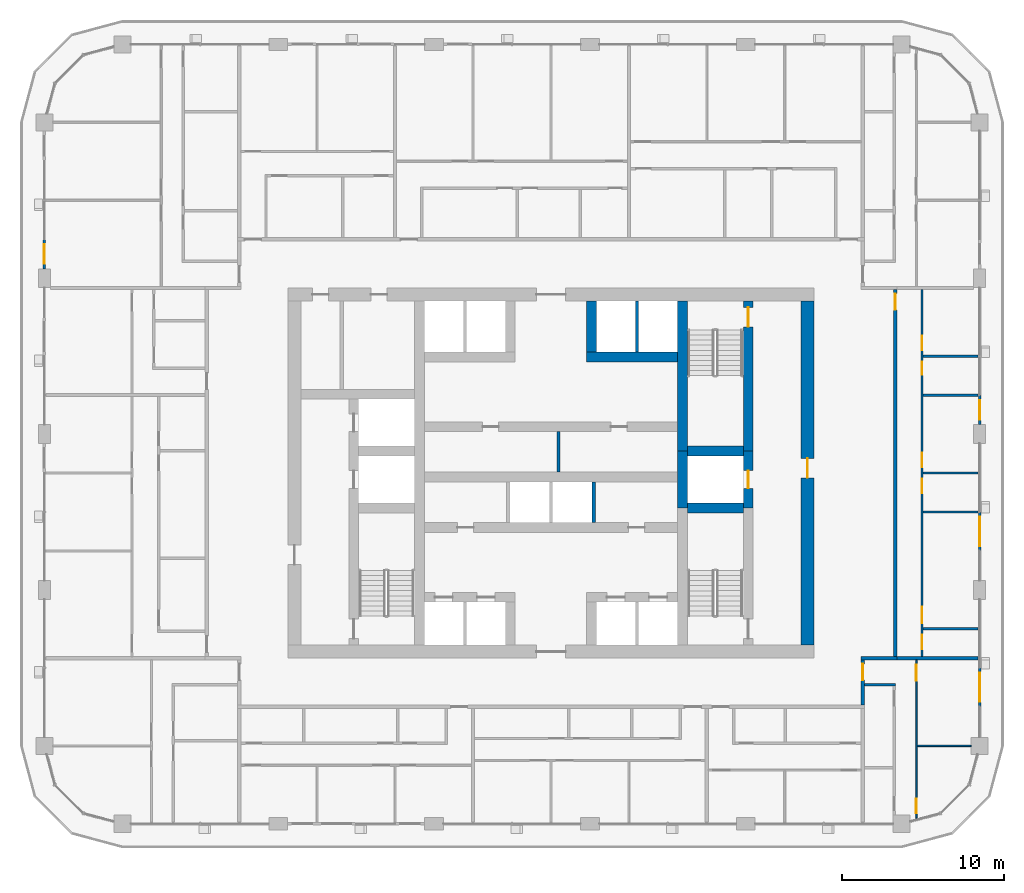
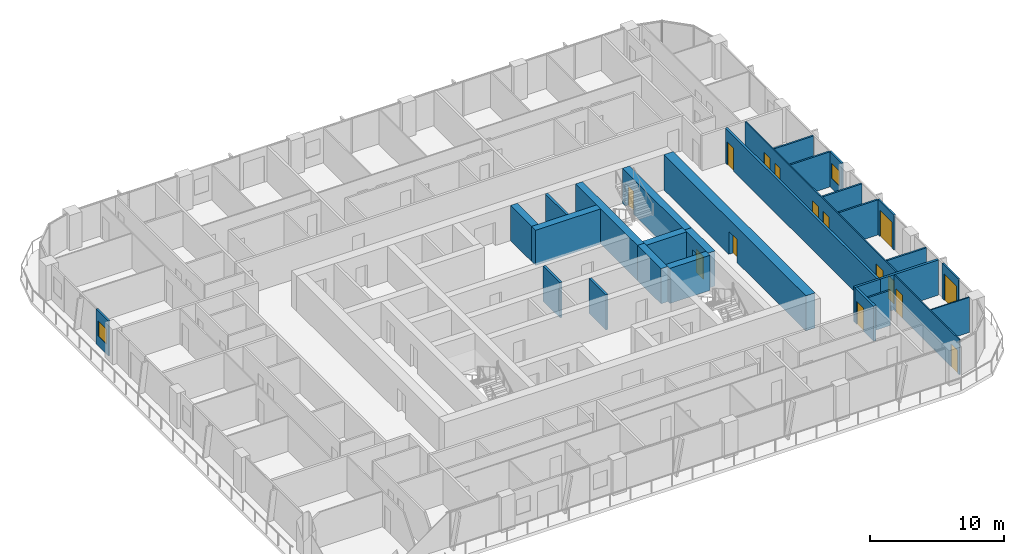
# One storey, part 12 of 22: 29 walls, 15 doors, 2 windows, 17 openings.
"""IFC4 building model written with IfcOpenShell, lengths in metres."""

from ifc_helpers import new_model, si_unit, direction, frame, frame_2d, origin, place, context, subcontext, project, spatial, rectangle, extrude, material, layer, layer_set, type_object, element, fill, save


model = new_model("IFC4")

# Units and contexts
model_context = context("Model", 3, precision=1e-05, world=origin(), true_north=direction((0.0, 1.0)))
body_context = subcontext(model_context, "Body", "Model", "MODEL_VIEW")
ifc_project = project(units=[si_unit("LENGTHUNIT", "METRE"), si_unit("AREAUNIT", "SQUARE_METRE"), si_unit("VOLUMEUNIT", "CUBIC_METRE"), si_unit("PLANEANGLEUNIT", "RADIAN"), si_unit("MASSUNIT", "GRAM", prefix="KILO")], contexts=[model_context])

# Site, building, storey
site_placement = place(None, origin())
site = spatial("IfcSite", under=ifc_project, at=site_placement, CompositionType="ELEMENT")
building_placement = place(site_placement, origin())
building = spatial("IfcBuilding", under=site, at=building_placement, Name="Madar Terraces", CompositionType="ELEMENT")
storey_placement = place(building_placement, frame((0.0, 0.0, 129.60009765625)))
storey = spatial("IfcBuildingStorey", under=building, at=storey_placement, Name="L33", CompositionType="ELEMENT", Elevation=129.60009765625)

# Walls
ifc_material_1 = material(Name="Concrete C70/85", Category="concrete")
ifc_layer_1 = layer(ifc_material_1, 0.60009765625)
ifc_layer_set_1 = layer_set([ifc_layer_1], Name="Concrete C70/85 (CIW3 RC wall 600)")
wall_type_1 = type_object("IfcWallType", Name="CIW3 RC wall 600", PredefinedType="SHEAR", material=ifc_layer_set_1)
wall_1_placement = place(storey_placement, frame((39.300048828125, 24.25, 0.0), z_axis=(0.0, 0.0, 1.0), x_axis=(0.0, 1.0, 0.0)))
element("IfcWall", 1, at=wall_1_placement, inside=storey, type_object=wall_type_1, Name="CORE SHAFT WALL", PredefinedType="SHEAR", context=body_context, shape_type="SweptSolid", body=[
    extrude(rectangle(XDim=3.5, YDim=0.60009765625, at=frame_2d((1.75, 0.0))), origin(), (0.0, 0.0, 1.0), 3.199951171875),
])
wall_2_placement = place(storey_placement, frame((39.300048828125, 27.75, 0.0), z_axis=(0.0, 0.0, 1.0), x_axis=(0.0, 1.0, 0.0)))
element("IfcWall", 2, at=wall_2_placement, inside=storey, type_object=wall_type_1, Name="CORE SHAFT WALL", PredefinedType="SHEAR", context=body_context, shape_type="SweptSolid", body=[
    extrude(rectangle(XDim=9.25, YDim=0.60009765625, at=frame_2d((4.625, 0.0))), origin(), (0.0, 0.0, 1.0), 3.199951171875),
])

# Wall, opening, door
wall_3_placement = place(storey_placement, frame((43.35009765625, 24.25, 0.0), z_axis=(0.0, 0.0, 1.0), x_axis=(0.0, 1.0, 0.0)))
wall_3 = element("IfcWall", 3, at=wall_3_placement, inside=storey, type_object=wall_type_1, Name="CORE SHAFT WALL", PredefinedType="SHEAR", context=body_context, shape_type="SweptSolid", body=[
    extrude(rectangle(XDim=3.5, YDim=0.60009765625, at=frame_2d((1.75, 0.0))), origin(), (0.0, 0.0, 1.0), 3.199951171875),
])
opening_1_placement = place(wall_3_placement, frame((1.199951171875, 0.0, 0.0)))
opening_1 = element("IfcOpeningElement", 4, at=opening_1_placement, cuts=wall_3, Name="Opening LD", PredefinedType="OPENING", context=body_context, shape_type="SweptSolid", body=[
    extrude(rectangle(XDim=1.10009765625, YDim=2.10009765625, at=frame_2d((0.550048828125, 1.050048828125))), frame((0.0, 0.31005859375, 0.0), z_axis=(0.0, -1.0, 0.0), x_axis=(1.0, 0.0, 0.0)), (0.0, 0.0, 1.0), 0.6201171875),
])
ifc_material_2 = material(Name="Stainless steel panel", Category="steel")
door_type_1 = type_object("IfcDoorType", Name="Lift landing door 1100 x 2100", OperationType="DOUBLE_DOOR_SLIDING", PredefinedType="DOOR", material=ifc_material_2)
door_1_placement = place(opening_1_placement, origin())
door_1 = element("IfcDoor", 5, at=door_1_placement, inside=storey, type_object=door_type_1, Name="LIFT LANDING DOOR", OperationType="DOUBLE_DOOR_SLIDING", OverallHeight=2.10009765625, OverallWidth=1.10009765625, PredefinedType="DOOR", context=body_context, shape_type="SweptSolid", body=[
    extrude(rectangle(XDim=1.10009765625, YDim=2.10009765625, at=frame_2d((0.550048828125, 1.050048828125))), frame((0.0, 0.02490234375, 0.0), z_axis=(0.0, -1.0, 0.0), x_axis=(1.0, 0.0, 0.0)), (0.0, 0.0, 1.0), 0.050048828125),
])
fill(opening_1, door_1)

wall_4_placement = place(storey_placement, frame((43.35009765625, 27.75, 0.0), z_axis=(0.0, 0.0, 1.0), x_axis=(0.0, 1.0, 0.0)))
wall_4 = element("IfcWall", 6, at=wall_4_placement, inside=storey, type_object=wall_type_1, Name="CORE SHAFT WALL", PredefinedType="SHEAR", context=body_context, shape_type="SweptSolid", body=[
    extrude(rectangle(XDim=9.25, YDim=0.60009765625, at=frame_2d((4.625, 0.0))), origin(), (0.0, 0.0, 1.0), 3.199951171875),
])
opening_2_placement = place(wall_4_placement, frame((7.64990234375, 0.0, 0.0)))
opening_2 = element("IfcOpeningElement", 7, at=opening_2_placement, cuts=wall_4, Name="Opening SD1", PredefinedType="OPENING", context=body_context, shape_type="SweptSolid", body=[
    extrude(rectangle(XDim=1.199951171875, YDim=2.10009765625, at=frame_2d((0.60009765625, 1.050048828125))), frame((0.0, 0.31005859375, 0.0), z_axis=(0.0, -1.0, 0.0), x_axis=(1.0, 0.0, 0.0)), (0.0, 0.0, 1.0), 0.6201171875),
])
ifc_material_3 = material(Name="Steel door leaf", Category="steel")
door_type_2 = type_object("IfcDoorType", Name="Stair door 1200 x 2100", OperationType="NOTDEFINED", PredefinedType="DOOR", material=ifc_material_3)
door_2_placement = place(opening_2_placement, origin())
door_2 = element("IfcDoor", 8, at=door_2_placement, inside=storey, type_object=door_type_2, Name="STAIR DOOR", OperationType="SINGLE_SWING_LEFT", OverallHeight=2.10009765625, OverallWidth=1.199951171875, PredefinedType="DOOR", context=body_context, shape_type="SweptSolid", body=[
    extrude(rectangle(XDim=1.199951171875, YDim=2.10009765625, at=frame_2d((0.60009765625, 1.050048828125))), frame((0.0, 0.02490234375, 0.0), z_axis=(0.0, -1.0, 0.0), x_axis=(1.0, 0.0, 0.0)), (0.0, 0.0, 1.0), 0.050048828125),
])
fill(opening_2, door_2)

# Walls
for number, where, z_axis, x_axis, name in (
    (9, (39.60009765625, 24.25, 0.0), (0.0, 0.0, 1.0), (1.0, 0.0, 0.0), "CORE SHAFT WALL"),
    (10, (39.60009765625, 27.75, 0.0), (0.0, 0.0, 1.0), (1.0, 0.0, 0.0), "CORE SHAFT WALL"),
):
    element("IfcWall", number, at=place(storey_placement, frame(where, z_axis=z_axis, x_axis=x_axis)), inside=storey, type_object=wall_type_1, Name=name, PredefinedType="SHEAR", context=body_context, shape_type="SweptSolid", body=[
        extrude(rectangle(XDim=3.449951171875, YDim=0.60009765625, at=frame_2d((1.72509765625, 0.0))), origin(), (0.0, 0.0, 1.0), 3.199951171875),
    ])
wall_5_placement = place(storey_placement, frame((33.39990234375, 33.550048828125, 0.0), z_axis=(0.0, 0.0, 1.0), x_axis=(1.0, 0.0, 0.0)))
element("IfcWall", 11, at=wall_5_placement, inside=storey, type_object=wall_type_1, Name="CORE SHAFT WALL", PredefinedType="SHEAR", context=body_context, shape_type="SweptSolid", body=[
    extrude(rectangle(XDim=5.60009765625, YDim=0.60009765625, at=frame_2d((2.800048828125, 0.0))), origin(), (0.0, 0.0, 1.0), 3.199951171875),
])
wall_6_placement = place(storey_placement, frame((33.699951171875, 33.85009765625, 0.0), z_axis=(0.0, 0.0, 1.0), x_axis=(0.0, 1.0, 0.0)))
element("IfcWall", 12, at=wall_6_placement, inside=storey, type_object=wall_type_1, Name="CORE SHAFT WALL", PredefinedType="SHEAR", context=body_context, shape_type="SweptSolid", body=[
    extrude(rectangle(XDim=3.14990234375, YDim=0.60009765625, at=frame_2d((1.574951171875, 0.0))), origin(), (0.0, 0.0, 1.0), 3.199951171875),
])

# Wall, opening, door
ifc_material_4 = material(Name="Concrete C70/85", Category="concrete")
ifc_layer_2 = layer(ifc_material_4, 0.800048828125)
ifc_layer_set_2 = layer_set([ifc_layer_2], Name="Concrete C70/85 (CRW3 RC wall 800)")
wall_type_2 = type_object("IfcWallType", Name="CRW3 RC wall 800", PredefinedType="SHEAR", material=ifc_layer_set_2)
wall_7_placement = place(storey_placement, frame((47.0, 15.800048828125, 0.0), z_axis=(0.0, 0.0, 1.0), x_axis=(0.0, 1.0, 0.0)))
wall_7 = element("IfcWall", 13, at=wall_7_placement, inside=storey, type_object=wall_type_2, Name="CORE OUTER WALL", PredefinedType="SHEAR", context=body_context, shape_type="SweptSolid", body=[
    extrude(rectangle(XDim=21.199951171875, YDim=0.800048828125, at=frame_2d((10.60009765625, 0.0))), origin(), (0.0, 0.0, 1.0), 3.199951171875),
])
opening_3_placement = place(wall_7_placement, frame((10.300048828125, 0.0, 0.0)))
opening_3 = element("IfcOpeningElement", 14, at=opening_3_placement, cuts=wall_7, Name="Opening SD1", PredefinedType="OPENING", context=body_context, shape_type="SweptSolid", body=[
    extrude(rectangle(XDim=1.199951171875, YDim=2.10009765625, at=frame_2d((0.60009765625, 1.050048828125))), frame((0.0, 0.409912109375, 0.0), z_axis=(0.0, -1.0, 0.0), x_axis=(1.0, 0.0, 0.0)), (0.0, 0.0, 1.0), 0.820068359375),
])
door_3_placement = place(opening_3_placement, origin())
door_3 = element("IfcDoor", 15, at=door_3_placement, inside=storey, type_object=door_type_2, Name="STAIR DOOR", OperationType="SINGLE_SWING_LEFT", OverallHeight=2.10009765625, OverallWidth=1.199951171875, PredefinedType="DOOR", context=body_context, shape_type="SweptSolid", body=[
    extrude(rectangle(XDim=1.199951171875, YDim=2.10009765625, at=frame_2d((0.60009765625, 1.050048828125))), frame((0.0, 0.02490234375, 0.0), z_axis=(0.0, -1.0, 0.0), x_axis=(1.0, 0.0, 0.0)), (0.0, 0.0, 1.0), 0.050048828125),
])
fill(opening_3, door_3)

# Walls
ifc_material_5 = material(Name="Masonry blockwork", Category="masonry")
ifc_layer_3 = layer(ifc_material_5, 0.199951171875)
ifc_layer_set_3 = layer_set([ifc_layer_3], Name="Core partition 200 blockwork")
wall_type_3 = type_object("IfcWallType", Name="Core partition 200 blockwork", PredefinedType="PARTITIONING", material=ifc_layer_set_3)
wall_8_placement = place(storey_placement, frame((31.66796875, 26.449951171875, 0.0), z_axis=(0.0, 0.0, 1.0), x_axis=(0.0, 1.0, 0.0)))
element("IfcWall", 16, at=wall_8_placement, inside=storey, type_object=wall_type_3, Name="SERVICE ROOM PARTITION", PredefinedType="PARTITIONING", context=body_context, shape_type="SweptSolid", body=[
    extrude(rectangle(XDim=2.5, YDim=0.199951171875, at=frame_2d((1.25, 0.0))), origin(), (0.0, 0.0, 1.0), 3.199951171875),
])
ifc_material_6 = material(Name="Concrete C40/50", Category="concrete")
ifc_layer_4 = layer(ifc_material_6, 0.199951171875)
ifc_layer_set_4 = layer_set([ifc_layer_4], Name="Core shaft dividing wall 200 C40/50")
wall_type_4 = type_object("IfcWallType", Name="Core shaft dividing wall 200 C40/50", PredefinedType="SOLIDWALL", material=ifc_layer_set_4)
wall_9_placement = place(storey_placement, frame((33.833251953125, 23.35009765625, 0.0), z_axis=(0.0, 0.0, 1.0), x_axis=(0.0, 1.0, 0.0)))
element("IfcWall", 17, at=wall_9_placement, inside=storey, type_object=wall_type_4, Name="SHAFT DIVIDING WALL", PredefinedType="SOLIDWALL", context=body_context, shape_type="SweptSolid", body=[
    extrude(rectangle(XDim=2.5, YDim=0.199951171875, at=frame_2d((1.25, 0.0))), origin(), (0.0, 0.0, 1.0), 3.199951171875),
])
wall_10_placement = place(storey_placement, frame((36.5, 33.85009765625, 0.0), z_axis=(0.0, 0.0, 1.0), x_axis=(0.0, 1.0, 0.0)))
element("IfcWall", 18, at=wall_10_placement, inside=storey, type_object=wall_type_4, Name="SHAFT DIVIDING WALL", PredefinedType="SOLIDWALL", context=body_context, shape_type="SweptSolid", body=[
    extrude(rectangle(XDim=3.14990234375, YDim=0.199951171875, at=frame_2d((1.574951171875, 0.0))), origin(), (0.0, 0.0, 1.0), 3.199951171875),
])

# Wall, opening, door
ifc_material_7 = material(Name="Aluminium composite panel, black, over insulated backing", Category="aluminium")
ifc_layer_5 = layer(ifc_material_7, 0.14990234375)
ifc_layer_set_5 = layer_set([ifc_layer_5], Name="Facade bay panel 150")
wall_type_5 = type_object("IfcWallType", Name="Facade bay panel 150", PredefinedType="SOLIDWALL", material=ifc_layer_set_5)
wall_11_placement = place(storey_placement, frame((57.60009765625, 12.0, 0.0), z_axis=(0.0, 0.0, 1.0), x_axis=(0.0, 1.0, 0.0)))
wall_11 = element("IfcWall", 19, at=wall_11_placement, inside=storey, type_object=wall_type_5, Name="Facade bay panel", PredefinedType="SOLIDWALL", context=body_context, shape_type="SweptSolid", body=[
    extrude(rectangle(XDim=2.39990234375, YDim=0.14990234375, at=frame_2d((1.199951171875, 0.0))), origin(), (0.0, 0.0, 1.0), 3.199951171875),
])
opening_4_placement = place(wall_11_placement, frame((0.300048828125, 0.0, 0.0)))
opening_4 = element("IfcOpeningElement", 20, at=opening_4_placement, cuts=wall_11, Name="Opening ED1", PredefinedType="OPENING", context=body_context, shape_type="SweptSolid", body=[
    extrude(rectangle(XDim=1.800048828125, YDim=2.39990234375, at=frame_2d((0.89990234375, 1.199951171875))), frame((0.0, 0.0849609375, 0.0), z_axis=(0.0, -1.0, 0.0), x_axis=(1.0, 0.0, 0.0)), (0.0, 0.0, 1.0), 0.169921875),
])
ifc_material_8 = material(Name="Glass, clear, with black aluminium frame", Category="aluminium")
door_type_3 = type_object("IfcDoorType", Name="Balcony and terrace sliding door 1800 x 2400", OperationType="SLIDING_TO_LEFT", PredefinedType="DOOR", material=ifc_material_8)
door_4_placement = place(opening_4_placement, origin())
door_4 = element("IfcDoor", 21, at=door_4_placement, inside=storey, type_object=door_type_3, Name="Balcony door", OperationType="SLIDING_TO_RIGHT", OverallHeight=2.39990234375, OverallWidth=1.800048828125, PredefinedType="DOOR", context=body_context, shape_type="SweptSolid", body=[
    extrude(rectangle(XDim=1.800048828125, YDim=2.39990234375, at=frame_2d((0.89990234375, 1.199951171875))), frame((0.0, 0.02490234375, 0.0), z_axis=(0.0, -1.0, 0.0), x_axis=(1.0, 0.0, 0.0)), (0.0, 0.0, 1.0), 0.050048828125),
])
fill(opening_4, door_4)

wall_12_placement = place(storey_placement, frame((57.60009765625, 21.60009765625, 0.0), z_axis=(0.0, 0.0, 1.0), x_axis=(0.0, 1.0, 0.0)))
wall_12 = element("IfcWall", 22, at=wall_12_placement, inside=storey, type_object=wall_type_5, Name="Facade bay panel", PredefinedType="SOLIDWALL", context=body_context, shape_type="SweptSolid", body=[
    extrude(rectangle(XDim=2.39990234375, YDim=0.14990234375, at=frame_2d((1.199951171875, 0.0))), origin(), (0.0, 0.0, 1.0), 3.199951171875),
])
opening_5_placement = place(wall_12_placement, frame((0.300048828125, 0.0, 0.0)))
opening_5 = element("IfcOpeningElement", 23, at=opening_5_placement, cuts=wall_12, Name="Opening ED1", PredefinedType="OPENING", context=body_context, shape_type="SweptSolid", body=[
    extrude(rectangle(XDim=1.800048828125, YDim=2.39990234375, at=frame_2d((0.89990234375, 1.199951171875))), frame((0.0, 0.0849609375, 0.0), z_axis=(0.0, -1.0, 0.0), x_axis=(1.0, 0.0, 0.0)), (0.0, 0.0, 1.0), 0.169921875),
])
door_5_placement = place(opening_5_placement, origin())
door_5 = element("IfcDoor", 24, at=door_5_placement, inside=storey, type_object=door_type_3, Name="Balcony door", OperationType="SLIDING_TO_LEFT", OverallHeight=2.39990234375, OverallWidth=1.800048828125, PredefinedType="DOOR", context=body_context, shape_type="SweptSolid", body=[
    extrude(rectangle(XDim=1.800048828125, YDim=2.39990234375, at=frame_2d((0.89990234375, 1.199951171875))), frame((0.0, 0.02490234375, 0.0), z_axis=(0.0, -1.0, 0.0), x_axis=(1.0, 0.0, 0.0)), (0.0, 0.0, 1.0), 0.050048828125),
])
fill(opening_5, door_5)

# Wall, opening, window
wall_13_placement = place(storey_placement, frame((57.60009765625, 29.375, 0.0), z_axis=(0.0, 0.0, 1.0), x_axis=(0.0, 1.0, 0.0)))
wall_13 = element("IfcWall", 25, at=wall_13_placement, inside=storey, type_object=wall_type_5, Name="Facade bay panel", PredefinedType="SOLIDWALL", context=body_context, shape_type="SweptSolid", body=[
    extrude(rectangle(XDim=1.824951171875, YDim=0.14990234375, at=frame_2d((0.91259765625, 0.0))), origin(), (0.0, 0.0, 1.0), 3.199951171875),
])
opening_6_placement = place(wall_13_placement, frame((0.3125, 0.0, 0.89990234375)))
opening_6 = element("IfcOpeningElement", 26, at=opening_6_placement, cuts=wall_13, Name="Opening W1", PredefinedType="OPENING", context=body_context, shape_type="SweptSolid", body=[
    extrude(rectangle(XDim=1.199951171875, YDim=1.39990234375, at=frame_2d((0.60009765625, 0.699951171875))), frame((0.0, 0.0849609375, 0.0), z_axis=(0.0, -1.0, 0.0), x_axis=(1.0, 0.0, 0.0)), (0.0, 0.0, 1.0), 0.169921875),
])
ifc_material_9 = material(Name="Glass, clear, with black aluminium frame", Category="aluminium")
window_type = type_object("IfcWindowType", Name="Vent window 1200 x 1400", PartitioningType="SINGLE_PANEL", PredefinedType="WINDOW", material=ifc_material_9)
window_1_placement = place(opening_6_placement, origin())
window_1 = element("IfcWindow", 27, at=window_1_placement, inside=storey, type_object=window_type, Name="Operable vent window", OverallHeight=1.39990234375, OverallWidth=1.199951171875, PartitioningType="SINGLE_PANEL", PredefinedType="WINDOW", context=body_context, shape_type="SweptSolid", body=[
    extrude(rectangle(XDim=1.199951171875, YDim=1.39990234375, at=frame_2d((0.60009765625, 0.699951171875))), frame((0.0, 0.030029296875, 0.0), z_axis=(0.0, -1.0, 0.0), x_axis=(1.0, 0.0, 0.0)), (0.0, 0.0, 1.0), 0.06005859375),
])
fill(opening_6, window_1)

wall_14_placement = place(storey_placement, frame((0.0, 40.800048828125, 0.0), z_axis=(0.0, 0.0, 1.0), x_axis=(0.0, -1.0, 0.0)))
wall_14 = element("IfcWall", 28, at=wall_14_placement, inside=storey, type_object=wall_type_5, Name="Facade bay panel", PredefinedType="SOLIDWALL", context=body_context, shape_type="SweptSolid", body=[
    extrude(rectangle(XDim=1.824951171875, YDim=0.14990234375, at=frame_2d((0.91259765625, 0.0))), origin(), (0.0, 0.0, 1.0), 3.199951171875),
])
opening_7_placement = place(wall_14_placement, frame((0.3125, 0.0, 0.89990234375)))
opening_7 = element("IfcOpeningElement", 29, at=opening_7_placement, cuts=wall_14, Name="Opening W1", PredefinedType="OPENING", context=body_context, shape_type="SweptSolid", body=[
    extrude(rectangle(XDim=1.199951171875, YDim=1.39990234375, at=frame_2d((0.60009765625, 0.699951171875))), frame((0.0, 0.0849609375, 0.0), z_axis=(0.0, -1.0, 0.0), x_axis=(1.0, 0.0, 0.0)), (0.0, 0.0, 1.0), 0.169921875),
])
window_2_placement = place(opening_7_placement, origin())
window_2 = element("IfcWindow", 30, at=window_2_placement, inside=storey, type_object=window_type, Name="Operable vent window", OverallHeight=1.39990234375, OverallWidth=1.199951171875, PartitioningType="SINGLE_PANEL", PredefinedType="WINDOW", context=body_context, shape_type="SweptSolid", body=[
    extrude(rectangle(XDim=1.199951171875, YDim=1.39990234375, at=frame_2d((0.60009765625, 0.699951171875))), frame((0.0, 0.030029296875, 0.0), z_axis=(0.0, -1.0, 0.0), x_axis=(1.0, 0.0, 0.0)), (0.0, 0.0, 1.0), 0.06005859375),
])
fill(opening_7, window_2)

# Wall
ifc_material_10 = material(Name="Gypsum board on steel studs", Category="steel")
ifc_layer_6 = layer(ifc_material_10, 0.10009765625)
ifc_layer_set_6 = layer_set([ifc_layer_6], Name="Flat partition 100")
wall_type_6 = type_object("IfcWallType", Name="Flat partition 100", PredefinedType="PARTITIONING", material=ifc_layer_set_6)
wall_15_placement = place(storey_placement, frame((53.75, 9.60009765625, 0.0), z_axis=(0.0, 0.0, 1.0), x_axis=(1.0, 0.0, 0.0)))
element("IfcWall", 31, at=wall_15_placement, inside=storey, type_object=wall_type_6, Name="Flat partition 100", PredefinedType="PARTITIONING", context=body_context, shape_type="SweptSolid", body=[
    extrude(rectangle(XDim=3.324951171875, YDim=0.10009765625, at=frame_2d((1.66259765625, 0.0))), origin(), (0.0, 0.0, 1.0), 3.199951171875),
])

# Wall, openings, doors
wall_16_placement = place(storey_placement, frame((53.699951171875, 14.89990234375, 0.0), z_axis=(0.0, 0.0, 1.0), x_axis=(0.0, -1.0, 0.0)))
wall_16 = element("IfcWall", 32, at=wall_16_placement, inside=storey, type_object=wall_type_6, Name="Flat partition 100", PredefinedType="PARTITIONING", context=body_context, shape_type="SweptSolid", body=[
    extrude(rectangle(XDim=9.7587890625, YDim=0.10009765625, at=frame_2d((4.87939453125, 0.0))), origin(), (0.0, 0.0, 1.0), 3.199951171875),
])
opening_8_placement = place(wall_16_placement, frame((0.300048828125, 0.0, 0.0)))
opening_8 = element("IfcOpeningElement", 33, at=opening_8_placement, cuts=wall_16, Name="Opening D3", PredefinedType="OPENING", context=body_context, shape_type="SweptSolid", body=[
    extrude(rectangle(XDim=1.0, YDim=2.10009765625, at=frame_2d((0.5, 1.050048828125))), frame((0.0, 0.06005859375, 0.0), z_axis=(0.0, -1.0, 0.0), x_axis=(1.0, 0.0, 0.0)), (0.0, 0.0, 1.0), 0.1201171875),
])
opening_9_placement = place(wall_16_placement, frame((8.558837890625, 0.0, 0.0)))
opening_9 = element("IfcOpeningElement", 34, at=opening_9_placement, cuts=wall_16, Name="Opening D2", PredefinedType="OPENING", context=body_context, shape_type="SweptSolid", body=[
    extrude(rectangle(XDim=0.89990234375, YDim=2.10009765625, at=frame_2d((0.449951171875, 1.050048828125))), frame((0.0, 0.06005859375, 0.0), z_axis=(0.0, -1.0, 0.0), x_axis=(1.0, 0.0, 0.0)), (0.0, 0.0, 1.0), 0.1201171875),
])
ifc_material_11 = material(Name="Timber door leaf", Category="wood")
door_type_4 = type_object("IfcDoorType", Name="Flat living room door 1000", OperationType="NOTDEFINED", PredefinedType="DOOR", material=ifc_material_11)
door_6_placement = place(opening_8_placement, origin())
door_6 = element("IfcDoor", 35, at=door_6_placement, inside=storey, type_object=door_type_4, Name="Flat living room door 1000", OperationType="SINGLE_SWING_LEFT", OverallHeight=2.10009765625, OverallWidth=1.0, PredefinedType="DOOR", context=body_context, shape_type="SweptSolid", body=[
    extrude(rectangle(XDim=1.0, YDim=2.10009765625, at=frame_2d((0.5, 1.050048828125))), frame((0.0, 0.02490234375, 0.0), z_axis=(0.0, -1.0, 0.0), x_axis=(1.0, 0.0, 0.0)), (0.0, 0.0, 1.0), 0.050048828125),
])
fill(opening_8, door_6)
ifc_material_12 = material(Name="Timber door leaf", Category="wood")
door_type_5 = type_object("IfcDoorType", Name="Flat room door 900", OperationType="NOTDEFINED", PredefinedType="DOOR", material=ifc_material_12)
door_7_placement = place(opening_9_placement, origin())
door_7 = element("IfcDoor", 36, at=door_7_placement, inside=storey, type_object=door_type_5, Name="Flat room door 900", OperationType="SINGLE_SWING_RIGHT", OverallHeight=2.10009765625, OverallWidth=0.89990234375, PredefinedType="DOOR", context=body_context, shape_type="SweptSolid", body=[
    extrude(rectangle(XDim=0.89990234375, YDim=2.10009765625, at=frame_2d((0.449951171875, 1.050048828125))), frame((0.0, 0.02490234375, 0.0), z_axis=(0.0, -1.0, 0.0), x_axis=(1.0, 0.0, 0.0)), (0.0, 0.0, 1.0), 0.050048828125),
])
fill(opening_9, door_7)

wall_17_placement = place(storey_placement, frame((54.050048828125, 37.699951171875, 0.0), z_axis=(0.0, 0.0, 1.0), x_axis=(0.0, -1.0, 0.0)))
wall_17 = element("IfcWall", 37, at=wall_17_placement, inside=storey, type_object=wall_type_6, Name="Flat partition 100", PredefinedType="PARTITIONING", context=body_context, shape_type="SweptSolid", body=[
    extrude(rectangle(XDim=22.599853515625, YDim=0.10009765625, at=frame_2d((11.2998046875, 0.0))), origin(), (0.0, 0.0, 1.0), 3.199951171875),
])
opening_10_placement = place(wall_17_placement, frame((2.85009765625, 0.0, 0.0)))
opening_10 = element("IfcOpeningElement", 38, at=opening_10_placement, cuts=wall_17, Name="Opening D2", PredefinedType="OPENING", context=body_context, shape_type="SweptSolid", body=[
    extrude(rectangle(XDim=0.89990234375, YDim=2.10009765625, at=frame_2d((0.449951171875, 1.050048828125))), frame((0.0, 0.06005859375, 0.0), z_axis=(0.0, -1.0, 0.0), x_axis=(1.0, 0.0, 0.0)), (0.0, 0.0, 1.0), 0.1201171875),
])
opening_11_placement = place(wall_17_placement, frame((4.449951171875, 0.0, 0.0)))
opening_11 = element("IfcOpeningElement", 39, at=opening_11_placement, cuts=wall_17, Name="Opening D4", PredefinedType="OPENING", context=body_context, shape_type="SweptSolid", body=[
    extrude(rectangle(XDim=0.800048828125, YDim=2.10009765625, at=frame_2d((0.39990234375, 1.050048828125))), frame((0.0, 0.06005859375, 0.0), z_axis=(0.0, -1.0, 0.0), x_axis=(1.0, 0.0, 0.0)), (0.0, 0.0, 1.0), 0.1201171875),
])
opening_12_placement = place(wall_17_placement, frame((10.050048828125, 0.0, 0.0)))
opening_12 = element("IfcOpeningElement", 40, at=opening_12_placement, cuts=wall_17, Name="Opening D2", PredefinedType="OPENING", context=body_context, shape_type="SweptSolid", body=[
    extrude(rectangle(XDim=0.89990234375, YDim=2.10009765625, at=frame_2d((0.449951171875, 1.050048828125))), frame((0.0, 0.06005859375, 0.0), z_axis=(0.0, -1.0, 0.0), x_axis=(1.0, 0.0, 0.0)), (0.0, 0.0, 1.0), 0.1201171875),
])
opening_13_placement = place(wall_17_placement, frame((11.64990234375, 0.0, 0.0)))
opening_13 = element("IfcOpeningElement", 41, at=opening_13_placement, cuts=wall_17, Name="Opening D5", PredefinedType="OPENING", context=body_context, shape_type="SweptSolid", body=[
    extrude(rectangle(XDim=0.89990234375, YDim=2.10009765625, at=frame_2d((0.449951171875, 1.050048828125))), frame((0.0, 0.06005859375, 0.0), z_axis=(0.0, -1.0, 0.0), x_axis=(1.0, 0.0, 0.0)), (0.0, 0.0, 1.0), 0.1201171875),
])
opening_14_placement = place(wall_17_placement, frame((19.550048828125, 0.0, 0.0)))
opening_14 = element("IfcOpeningElement", 42, at=opening_14_placement, cuts=wall_17, Name="Opening D3", PredefinedType="OPENING", context=body_context, shape_type="SweptSolid", body=[
    extrude(rectangle(XDim=1.0, YDim=2.10009765625, at=frame_2d((0.5, 1.050048828125))), frame((0.0, 0.06005859375, 0.0), z_axis=(0.0, -1.0, 0.0), x_axis=(1.0, 0.0, 0.0)), (0.0, 0.0, 1.0), 0.1201171875),
])
opening_15_placement = place(wall_17_placement, frame((21.25, 0.0, 0.0)))
opening_15 = element("IfcOpeningElement", 43, at=opening_15_placement, cuts=wall_17, Name="Opening D2", PredefinedType="OPENING", context=body_context, shape_type="SweptSolid", body=[
    extrude(rectangle(XDim=0.89990234375, YDim=2.10009765625, at=frame_2d((0.449951171875, 1.050048828125))), frame((0.0, 0.06005859375, 0.0), z_axis=(0.0, -1.0, 0.0), x_axis=(1.0, 0.0, 0.0)), (0.0, 0.0, 1.0), 0.1201171875),
])
ifc_material_13 = material(Name="Timber door leaf", Category="wood")
door_type_6 = type_object("IfcDoorType", Name="Flat accessible bathroom door 900", OperationType="NOTDEFINED", PredefinedType="DOOR", material=ifc_material_13)
door_8_placement = place(opening_13_placement, origin())
door_8 = element("IfcDoor", 44, at=door_8_placement, inside=storey, type_object=door_type_6, Name="Flat accessible bathroom door 900", OperationType="SINGLE_SWING_LEFT", OverallHeight=2.10009765625, OverallWidth=0.89990234375, PredefinedType="DOOR", context=body_context, shape_type="SweptSolid", body=[
    extrude(rectangle(XDim=0.89990234375, YDim=2.10009765625, at=frame_2d((0.449951171875, 1.050048828125))), frame((0.0, 0.02490234375, 0.0), z_axis=(0.0, -1.0, 0.0), x_axis=(1.0, 0.0, 0.0)), (0.0, 0.0, 1.0), 0.050048828125),
])
fill(opening_13, door_8)
ifc_material_14 = material(Name="Timber door leaf", Category="wood")
door_type_7 = type_object("IfcDoorType", Name="Flat bathroom door 800", OperationType="NOTDEFINED", PredefinedType="DOOR", material=ifc_material_14)
door_9_placement = place(opening_11_placement, origin())
door_9 = element("IfcDoor", 45, at=door_9_placement, inside=storey, type_object=door_type_7, Name="Flat bathroom door 800", OperationType="SINGLE_SWING_LEFT", OverallHeight=2.10009765625, OverallWidth=0.800048828125, PredefinedType="DOOR", context=body_context, shape_type="SweptSolid", body=[
    extrude(rectangle(XDim=0.800048828125, YDim=2.10009765625, at=frame_2d((0.39990234375, 1.050048828125))), frame((0.0, 0.02490234375, 0.0), z_axis=(0.0, -1.0, 0.0), x_axis=(1.0, 0.0, 0.0)), (0.0, 0.0, 1.0), 0.050048828125),
])
fill(opening_11, door_9)
door_10_placement = place(opening_14_placement, origin())
door_10 = element("IfcDoor", 46, at=door_10_placement, inside=storey, type_object=door_type_4, Name="Flat living room door 1000", OperationType="SINGLE_SWING_RIGHT", OverallHeight=2.10009765625, OverallWidth=1.0, PredefinedType="DOOR", context=body_context, shape_type="SweptSolid", body=[
    extrude(rectangle(XDim=1.0, YDim=2.10009765625, at=frame_2d((0.5, 1.050048828125))), frame((0.0, 0.02490234375, 0.0), z_axis=(0.0, -1.0, 0.0), x_axis=(1.0, 0.0, 0.0)), (0.0, 0.0, 1.0), 0.050048828125),
])
fill(opening_14, door_10)
door_11_placement = place(opening_10_placement, origin())
door_11 = element("IfcDoor", 47, at=door_11_placement, inside=storey, type_object=door_type_5, Name="Flat room door 900", OperationType="SINGLE_SWING_RIGHT", OverallHeight=2.10009765625, OverallWidth=0.89990234375, PredefinedType="DOOR", context=body_context, shape_type="SweptSolid", body=[
    extrude(rectangle(XDim=0.89990234375, YDim=2.10009765625, at=frame_2d((0.449951171875, 1.050048828125))), frame((0.0, 0.02490234375, 0.0), z_axis=(0.0, -1.0, 0.0), x_axis=(1.0, 0.0, 0.0)), (0.0, 0.0, 1.0), 0.050048828125),
])
fill(opening_10, door_11)
door_12_placement = place(opening_12_placement, origin())
door_12 = element("IfcDoor", 48, at=door_12_placement, inside=storey, type_object=door_type_5, Name="Flat room door 900", OperationType="SINGLE_SWING_RIGHT", OverallHeight=2.10009765625, OverallWidth=0.89990234375, PredefinedType="DOOR", context=body_context, shape_type="SweptSolid", body=[
    extrude(rectangle(XDim=0.89990234375, YDim=2.10009765625, at=frame_2d((0.449951171875, 1.050048828125))), frame((0.0, 0.02490234375, 0.0), z_axis=(0.0, -1.0, 0.0), x_axis=(1.0, 0.0, 0.0)), (0.0, 0.0, 1.0), 0.050048828125),
])
fill(opening_12, door_12)
door_13_placement = place(opening_15_placement, origin())
door_13 = element("IfcDoor", 49, at=door_13_placement, inside=storey, type_object=door_type_5, Name="Flat room door 900", OperationType="SINGLE_SWING_LEFT", OverallHeight=2.10009765625, OverallWidth=0.89990234375, PredefinedType="DOOR", context=body_context, shape_type="SweptSolid", body=[
    extrude(rectangle(XDim=0.89990234375, YDim=2.10009765625, at=frame_2d((0.449951171875, 1.050048828125))), frame((0.0, 0.02490234375, 0.0), z_axis=(0.0, -1.0, 0.0), x_axis=(1.0, 0.0, 0.0)), (0.0, 0.0, 1.0), 0.050048828125),
])
fill(opening_15, door_13)

# Wall, opening, door
ifc_material_15 = material(Name="Lightweight blockwork", Category="masonry")
ifc_layer_7 = layer(ifc_material_15, 0.199951171875)
ifc_layer_set_7 = layer_set([ifc_layer_7], Name="Flat party and entrance wall 200")
wall_type_7 = type_object("IfcWallType", Name="Flat party and entrance wall 200", PredefinedType="PARTITIONING", material=ifc_layer_set_7)
wall_18_placement = place(storey_placement, frame((50.39990234375, 14.89990234375, 0.0), z_axis=(0.0, 0.0, 1.0), x_axis=(0.0, -1.0, 0.0)))
wall_18 = element("IfcWall", 50, at=wall_18_placement, inside=storey, type_object=wall_type_7, Name="Flat party and entrance wall 200", PredefinedType="PARTITIONING", context=body_context, shape_type="SweptSolid", body=[
    extrude(rectangle(XDim=2.7998046875, YDim=0.199951171875, at=frame_2d((1.39990234375, 0.0))), origin(), (0.0, 0.0, 1.0), 3.199951171875),
])
opening_16_placement = place(wall_18_placement, frame((0.25, 0.0, 0.0)))
opening_16 = element("IfcOpeningElement", 51, at=opening_16_placement, cuts=wall_18, Name="Opening D1", PredefinedType="OPENING", context=body_context, shape_type="SweptSolid", body=[
    extrude(rectangle(XDim=1.0, YDim=2.10009765625, at=frame_2d((0.5, 1.050048828125))), frame((0.0, 0.10986328125, 0.0), z_axis=(0.0, -1.0, 0.0), x_axis=(1.0, 0.0, 0.0)), (0.0, 0.0, 1.0), 0.219970703125),
])
ifc_material_16 = material(Name="Timber fire door leaf", Category="wood")
door_type_8 = type_object("IfcDoorType", Name="Flat entrance door 1000 FD30S", OperationType="NOTDEFINED", PredefinedType="DOOR", material=ifc_material_16)
door_14_placement = place(opening_16_placement, origin())
door_14 = element("IfcDoor", 52, at=door_14_placement, inside=storey, type_object=door_type_8, Name="Flat entrance door 1000 FD30S", OperationType="SINGLE_SWING_LEFT", OverallHeight=2.10009765625, OverallWidth=1.0, PredefinedType="DOOR", context=body_context, shape_type="SweptSolid", body=[
    extrude(rectangle(XDim=1.0, YDim=2.10009765625, at=frame_2d((0.5, 1.050048828125))), frame((0.0, 0.02490234375, 0.0), z_axis=(0.0, -1.0, 0.0), x_axis=(1.0, 0.0, 0.0)), (0.0, 0.0, 1.0), 0.050048828125),
])
fill(opening_16, door_14)

# Wall
wall_19_placement = place(storey_placement, frame((50.300048828125, 15.0, 0.0), z_axis=(0.0, 0.0, 1.0), x_axis=(1.0, 0.0, 0.0)))
element("IfcWall", 53, at=wall_19_placement, inside=storey, type_object=wall_type_7, Name="Flat party and entrance wall 200", PredefinedType="PARTITIONING", context=body_context, shape_type="SweptSolid", body=[
    extrude(rectangle(XDim=2.199951171875, YDim=0.199951171875, at=frame_2d((1.10009765625, 0.0))), origin(), (0.0, 0.0, 1.0), 3.199951171875),
])

# Wall, opening, door
wall_20_placement = place(storey_placement, frame((52.39990234375, 37.699951171875, 0.0), z_axis=(0.0, 0.0, 1.0), x_axis=(0.0, -1.0, 0.0)))
wall_20 = element("IfcWall", 54, at=wall_20_placement, inside=storey, type_object=wall_type_7, Name="Flat party and entrance wall 200", PredefinedType="PARTITIONING", context=body_context, shape_type="SweptSolid", body=[
    extrude(rectangle(XDim=22.599853515625, YDim=0.199951171875, at=frame_2d((11.2998046875, 0.0))), origin(), (0.0, 0.0, 1.0), 3.199951171875),
])
opening_17_placement = place(wall_20_placement, frame((0.25, 0.0, 0.0)))
opening_17 = element("IfcOpeningElement", 55, at=opening_17_placement, cuts=wall_20, Name="Opening D1", PredefinedType="OPENING", context=body_context, shape_type="SweptSolid", body=[
    extrude(rectangle(XDim=1.0, YDim=2.10009765625, at=frame_2d((0.5, 1.050048828125))), frame((0.0, 0.10986328125, 0.0), z_axis=(0.0, -1.0, 0.0), x_axis=(1.0, 0.0, 0.0)), (0.0, 0.0, 1.0), 0.219970703125),
])
door_15_placement = place(opening_17_placement, origin())
door_15 = element("IfcDoor", 56, at=door_15_placement, inside=storey, type_object=door_type_8, Name="Flat entrance door 1000 FD30S", OperationType="SINGLE_SWING_LEFT", OverallHeight=2.10009765625, OverallWidth=1.0, PredefinedType="DOOR", context=body_context, shape_type="SweptSolid", body=[
    extrude(rectangle(XDim=1.0, YDim=2.10009765625, at=frame_2d((0.5, 1.050048828125))), frame((0.0, 0.02490234375, 0.0), z_axis=(0.0, -1.0, 0.0), x_axis=(1.0, 0.0, 0.0)), (0.0, 0.0, 1.0), 0.050048828125),
])
fill(opening_17, door_15)

# Walls
wall_21_placement = place(storey_placement, frame((52.5, 15.0, 0.0), z_axis=(0.0, 0.0, 1.0), x_axis=(1.0, 0.0, 0.0)))
element("IfcWall", 57, at=wall_21_placement, inside=storey, type_object=wall_type_7, Name="Flat party and entrance wall 200", PredefinedType="PARTITIONING", context=body_context, shape_type="SweptSolid", body=[
    extrude(rectangle(XDim=5.0, YDim=0.199951171875, at=frame_2d((2.5, 0.0))), origin(), (0.0, 0.0, 1.0), 3.199951171875),
])
ifc_material_17 = material(Name="Lightweight blockwork", Category="masonry")
ifc_layer_8 = layer(ifc_material_17, 0.14990234375)
ifc_layer_set_8 = layer_set([ifc_layer_8], Name="Flat wet-room partition 150")
wall_type_8 = type_object("IfcWallType", Name="Flat wet-room partition 150", PredefinedType="PARTITIONING", material=ifc_layer_set_8)
wall_22_placement = place(storey_placement, frame((50.5, 13.35009765625, 0.0), z_axis=(0.0, 0.0, 1.0), x_axis=(1.0, 0.0, 0.0)))
element("IfcWall", 58, at=wall_22_placement, inside=storey, type_object=wall_type_8, Name="Flat wet-room partition 150", PredefinedType="PARTITIONING", context=body_context, shape_type="SweptSolid", body=[
    extrude(rectangle(XDim=1.925048828125, YDim=0.14990234375, at=frame_2d((0.96240234375, 0.0))), origin(), (0.0, 0.0, 1.0), 3.199951171875),
])
for number, where, z_axis, x_axis, name in (
    (59, (54.125, 33.60009765625, 0.0), (0.0, 0.0, 1.0), (1.0, 0.0, 0.0), "Flat wet-room partition 150"),
    (60, (54.125, 31.199951171875, 0.0), (0.0, 0.0, 1.0), (1.0, 0.0, 0.0), "Flat wet-room partition 150"),
    (61, (54.125, 26.39990234375, 0.0), (0.0, 0.0, 1.0), (1.0, 0.0, 0.0), "Flat wet-room partition 150"),
    (62, (54.125, 24.0, 0.0), (0.0, 0.0, 1.0), (1.0, 0.0, 0.0), "Flat wet-room partition 150"),
    (63, (54.125, 16.800048828125, 0.0), (0.0, 0.0, 1.0), (1.0, 0.0, 0.0), "Flat wet-room partition 150"),
):
    element("IfcWall", number, at=place(storey_placement, frame(where, z_axis=z_axis, x_axis=x_axis)), inside=storey, type_object=wall_type_8, Name=name, PredefinedType="PARTITIONING", context=body_context, shape_type="SweptSolid", body=[
        extrude(rectangle(XDim=3.375, YDim=0.14990234375, at=frame_2d((1.6875, 0.0))), origin(), (0.0, 0.0, 1.0), 3.199951171875),
    ])

save(model, "model.ifc")
